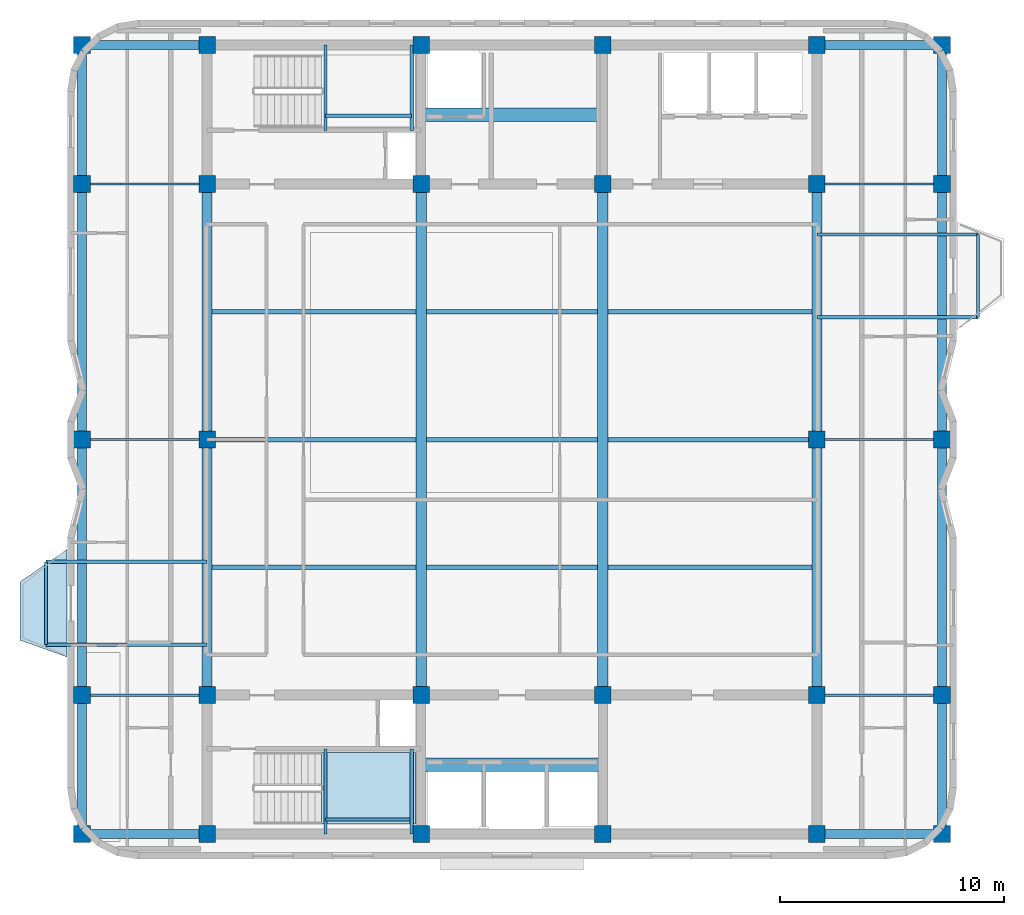
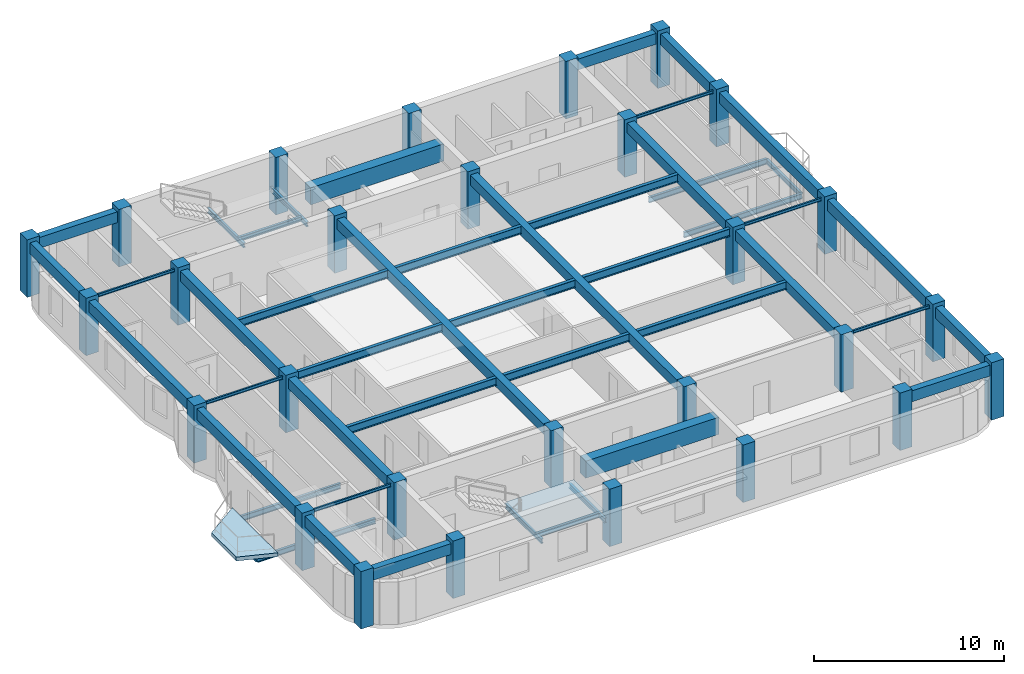
# One storey, part 1 of 8: 47 beams, 28 columns, 2 slabs, 1 element without a shape of its own.
"""IFC4 building model written with IfcOpenShell, lengths in metres."""

from ifc_helpers import new_model, si_unit, direction, frame, origin, origin_2d, place, context, subcontext, project, spatial, polyline, rectangle, i_section, outline, extrude, material, layer, layer_set, material_profile, profile_set, type_object, element, aggregate, save


model = new_model("IFC4")

# Units and contexts
model_context = context("Model", 3, precision=1e-05, world=origin(), true_north=direction((0.0, 1.0)))
body_context = subcontext(model_context, "Body", "Model", "MODEL_VIEW")
ifc_project = project(units=[si_unit("LENGTHUNIT", "METRE"), si_unit("AREAUNIT", "SQUARE_METRE"), si_unit("VOLUMEUNIT", "CUBIC_METRE"), si_unit("PLANEANGLEUNIT", "RADIAN"), si_unit("MASSUNIT", "GRAM", prefix="KILO")], contexts=[model_context])

# Site, building, storey
site_placement = place(None, origin())
site = spatial("IfcSite", under=ifc_project, at=site_placement, CompositionType="ELEMENT")
building_placement = place(site_placement, origin())
building = spatial("IfcBuilding", under=site, at=building_placement, Name="Svetorya Sky Lyceum", CompositionType="ELEMENT")
storey_placement = place(building_placement, frame((0.0, 0.0, 260.199951171875)))
storey = spatial("IfcBuildingStorey", under=building, at=storey_placement, Name="L65", CompositionType="ELEMENT", Elevation=260.199951171875)

# Columns
ifc_material_1 = material(Name="Concrete C40/50", Category="concrete")
ifc_material_profile_1 = material_profile(ifc_material_1, rectangle(XDim=0.75, YDim=0.75, at=origin_2d()), Name="RC COL 750x750")
ifc_profile_set_1 = profile_set([ifc_material_profile_1], Name="Concrete C40/50")
column_type = type_object("IfcColumnType", Name="COL-RC-750", PredefinedType="COLUMN", material=ifc_profile_set_1)
for number, where, z_axis, x_axis, name in (
    (1, (25.60009765625, 10.60009765625, 0.0), (0.0, 0.0, 1.0), (1.0, 0.0, 0.0), "L65 Core Column CS-11"),
    (2, (25.60009765625, 16.800048828125, 0.0), (0.0, 0.0, 1.0), (1.0, 0.0, 0.0), "L65 Core Column CS-12"),
    (3, (35.14990234375, 10.60009765625, 0.0), (0.0, 0.0, 1.0), (1.0, 0.0, 0.0), "L65 Core Column CS-21"),
    (4, (35.14990234375, 16.800048828125, 0.0), (0.0, 0.0, 1.0), (1.0, 0.0, 0.0), "L65 Core Column CS-22"),
    (5, (43.25, 10.60009765625, 0.0), (0.0, 0.0, 1.0), (1.0, 0.0, 0.0), "L65 Core Column CS-31"),
    (6, (43.25, 16.800048828125, 0.0), (0.0, 0.0, 1.0), (1.0, 0.0, 0.0), "L65 Core Column CS-32"),
    (7, (52.800048828125, 10.60009765625, 0.0), (0.0, 0.0, 1.0), (1.0, 0.0, 0.0), "L65 Core Column CS-41"),
    (8, (52.800048828125, 16.800048828125, 0.0), (0.0, 0.0, 1.0), (1.0, 0.0, 0.0), "L65 Core Column CS-42"),
    (9, (25.60009765625, 39.60009765625, 0.0), (0.0, 0.0, 1.0), (1.0, 0.0, 0.0), "L65 Core Column CN-11"),
    (10, (25.60009765625, 45.800048828125, 0.0), (0.0, 0.0, 1.0), (1.0, 0.0, 0.0), "L65 Core Column CN-12"),
    (11, (35.14990234375, 39.60009765625, 0.0), (0.0, 0.0, 1.0), (1.0, 0.0, 0.0), "L65 Core Column CN-21"),
    (12, (35.14990234375, 45.800048828125, 0.0), (0.0, 0.0, 1.0), (1.0, 0.0, 0.0), "L65 Core Column CN-22"),
    (13, (43.25, 39.60009765625, 0.0), (0.0, 0.0, 1.0), (1.0, 0.0, 0.0), "L65 Core Column CN-31"),
    (14, (43.25, 45.800048828125, 0.0), (0.0, 0.0, 1.0), (1.0, 0.0, 0.0), "L65 Core Column CN-32"),
    (15, (52.800048828125, 39.60009765625, 0.0), (0.0, 0.0, 1.0), (1.0, 0.0, 0.0), "L65 Core Column CN-41"),
    (16, (52.800048828125, 45.800048828125, 0.0), (0.0, 0.0, 1.0), (1.0, 0.0, 0.0), "L65 Core Column CN-42"),
    (17, (25.60009765625, 28.199951171875, 0.0), (0.0, 0.0, 1.0), (1.0, 0.0, 0.0), "L65 Core Column CM-W"),
    (18, (52.800048828125, 28.199951171875, 0.0), (0.0, 0.0, 1.0), (1.0, 0.0, 0.0), "L65 Core Column CM-E"),
    (19, (20.010009765625, 10.60009765625, 0.0), (0.0, 0.0, 1.0), (1.0, 0.0, 0.0), "L65 Perimeter Column W1"),
    (20, (58.389892578125, 10.60009765625, 0.0), (0.0, 0.0, 1.0), (1.0, 0.0, 0.0), "L65 Perimeter Column E1"),
    (21, (20.010009765625, 16.800048828125, 0.0), (0.0, 0.0, 1.0), (1.0, 0.0, 0.0), "L65 Perimeter Column W2"),
    (22, (58.389892578125, 16.800048828125, 0.0), (0.0, 0.0, 1.0), (1.0, 0.0, 0.0), "L65 Perimeter Column E2"),
    (23, (20.010009765625, 28.199951171875, 0.0), (0.0, 0.0, 1.0), (1.0, 0.0, 0.0), "L65 Perimeter Column W3"),
    (24, (58.389892578125, 28.199951171875, 0.0), (0.0, 0.0, 1.0), (1.0, 0.0, 0.0), "L65 Perimeter Column E3"),
    (25, (20.010009765625, 39.60009765625, 0.0), (0.0, 0.0, 1.0), (1.0, 0.0, 0.0), "L65 Perimeter Column W4"),
    (26, (58.389892578125, 39.60009765625, 0.0), (0.0, 0.0, 1.0), (1.0, 0.0, 0.0), "L65 Perimeter Column E4"),
    (27, (20.010009765625, 45.800048828125, 0.0), (0.0, 0.0, 1.0), (1.0, 0.0, 0.0), "L65 Perimeter Column W5"),
    (28, (58.389892578125, 45.800048828125, 0.0), (0.0, 0.0, 1.0), (1.0, 0.0, 0.0), "L65 Perimeter Column E5"),
):
    element("IfcColumn", number, at=place(storey_placement, frame(where, z_axis=z_axis, x_axis=x_axis)), inside=storey, type_object=column_type, Name=name, PredefinedType="COLUMN", context=body_context, shape_type="SweptSolid", body=[
        extrude(rectangle(XDim=0.75, YDim=0.75, at=origin_2d()), origin(), (0.0, 0.0, 1.0), 3.699951171875),
    ])

# Beams
ifc_material_2 = material(Name="Concrete C60/75", Category="concrete")
ifc_material_profile_2 = material_profile(ifc_material_2, rectangle(XDim=0.60009765625, YDim=1.10009765625, at=origin_2d()), Name="RC COUPLING 600x1100")
ifc_profile_set_2 = profile_set([ifc_material_profile_2], Name="Concrete C60/75")
beam_type_1 = type_object("IfcBeamType", Name="BM-CPL-1100", PredefinedType="LINTEL", material=ifc_profile_set_2)
for number, where, z_axis, x_axis, name in (
    (29, (35.14990234375, 13.699951171875, 2.900146484375), (1.0, 0.0, 0.0), (0.0, 1.0, 0.0), "L65 SC Core Coupling Beam"),
    (30, (35.14990234375, 42.699951171875, 2.900146484375), (1.0, 0.0, 0.0), (0.0, 1.0, 0.0), "L65 NC Core Coupling Beam"),
):
    element("IfcBeam", number, at=place(storey_placement, frame(where, z_axis=z_axis, x_axis=x_axis)), inside=storey, type_object=beam_type_1, Name=name, PredefinedType="LINTEL", context=body_context, shape_type="SweptSolid", body=[
        extrude(rectangle(XDim=0.60009765625, YDim=1.10009765625, at=origin_2d()), origin(), (0.0, 0.0, 1.0), 8.10009765625),
    ])
ifc_material_profile_3 = material_profile(ifc_material_1, rectangle(XDim=0.449951171875, YDim=0.64990234375, at=origin_2d()), Name="RC BEAM 450x650")
ifc_profile_set_3 = profile_set([ifc_material_profile_3], Name="Concrete C40/50")
beam_type_2 = type_object("IfcBeamType", Name="BM-RC-650", PredefinedType="BEAM", material=ifc_profile_set_3)
beam_1_placement = place(storey_placement, frame((25.60009765625, 16.800048828125, 3.125), z_axis=(0.0, 1.0, 0.0), x_axis=(-1.0, 0.0, 0.0)))
element("IfcBeam", 31, at=beam_1_placement, inside=storey, type_object=beam_type_2, Name="L65 Central Bay Primary Girder CG-1A", PredefinedType="BEAM", context=body_context, shape_type="SweptSolid", body=[
    extrude(rectangle(XDim=0.449951171875, YDim=0.64990234375, at=origin_2d()), origin(), (0.0, 0.0, 1.0), 11.39990234375),
])
beam_2_placement = place(storey_placement, frame((25.60009765625, 28.199951171875, 3.125), z_axis=(0.0, 1.0, 0.0), x_axis=(-1.0, 0.0, 0.0)))
element("IfcBeam", 32, at=beam_2_placement, inside=storey, type_object=beam_type_2, Name="L65 Central Bay Primary Girder CG-1B", PredefinedType="BEAM", context=body_context, shape_type="SweptSolid", body=[
    extrude(rectangle(XDim=0.449951171875, YDim=0.64990234375, at=origin_2d()), origin(), (0.0, 0.0, 1.0), 11.400146484375),
])
for number, where, z_axis, x_axis, name in (
    (33, (35.14990234375, 16.800048828125, 3.125), (0.0, 1.0, 0.0), (-1.0, 0.0, 0.0), "L65 Central Bay Primary Girder CG-2"),
    (34, (43.25, 16.800048828125, 3.125), (0.0, 1.0, 0.0), (-1.0, 0.0, 0.0), "L65 Central Bay Primary Girder CG-3"),
):
    element("IfcBeam", number, at=place(storey_placement, frame(where, z_axis=z_axis, x_axis=x_axis)), inside=storey, type_object=beam_type_2, Name=name, PredefinedType="BEAM", context=body_context, shape_type="SweptSolid", body=[
        extrude(rectangle(XDim=0.449951171875, YDim=0.64990234375, at=origin_2d()), origin(), (0.0, 0.0, 1.0), 22.800048828125),
    ])
beam_3_placement = place(storey_placement, frame((52.800048828125, 16.800048828125, 3.125), z_axis=(0.0, 1.0, 0.0), x_axis=(-1.0, 0.0, 0.0)))
element("IfcBeam", 35, at=beam_3_placement, inside=storey, type_object=beam_type_2, Name="L65 Central Bay Primary Girder CG-4A", PredefinedType="BEAM", context=body_context, shape_type="SweptSolid", body=[
    extrude(rectangle(XDim=0.449951171875, YDim=0.64990234375, at=origin_2d()), origin(), (0.0, 0.0, 1.0), 11.39990234375),
])
beam_4_placement = place(storey_placement, frame((52.800048828125, 28.199951171875, 3.125), z_axis=(0.0, 1.0, 0.0), x_axis=(-1.0, 0.0, 0.0)))
element("IfcBeam", 36, at=beam_4_placement, inside=storey, type_object=beam_type_2, Name="L65 Central Bay Primary Girder CG-4B", PredefinedType="BEAM", context=body_context, shape_type="SweptSolid", body=[
    extrude(rectangle(XDim=0.449951171875, YDim=0.64990234375, at=origin_2d()), origin(), (0.0, 0.0, 1.0), 11.400146484375),
])
ifc_material_3 = material(Name="Concrete C50/60", Category="concrete")
ifc_material_profile_4 = material_profile(ifc_material_3, rectangle(XDim=0.39990234375, YDim=0.699951171875, at=origin_2d()), Name="RC SPANDREL 400x700")
ifc_profile_set_4 = profile_set([ifc_material_profile_4], Name="Concrete C50/60")
beam_type_3 = type_object("IfcBeamType", Name="BM-SPN-700", PredefinedType="SPANDREL", material=ifc_profile_set_4)
for number, where, z_axis, x_axis, name in (
    (37, (20.010009765625, 10.60009765625, 3.10009765625), (1.0, 0.0, 0.0), (0.0, 1.0, 0.0), "L65 Tie Spandrel SW"),
    (38, (20.010009765625, 45.800048828125, 3.10009765625), (1.0, 0.0, 0.0), (0.0, 1.0, 0.0), "L65 Tie Spandrel NW"),
):
    element("IfcBeam", number, at=place(storey_placement, frame(where, z_axis=z_axis, x_axis=x_axis)), inside=storey, type_object=beam_type_3, Name=name, PredefinedType="SPANDREL", context=body_context, shape_type="SweptSolid", body=[
        extrude(rectangle(XDim=0.39990234375, YDim=0.699951171875, at=origin_2d()), origin(), (0.0, 0.0, 1.0), 5.590087890625),
    ])
for number, where, z_axis, x_axis, name in (
    (39, (52.800048828125, 10.60009765625, 3.10009765625), (1.0, 0.0, 0.0), (0.0, 1.0, 0.0), "L65 Tie Spandrel SE"),
    (40, (52.800048828125, 45.800048828125, 3.10009765625), (1.0, 0.0, 0.0), (0.0, 1.0, 0.0), "L65 Tie Spandrel NE"),
):
    element("IfcBeam", number, at=place(storey_placement, frame(where, z_axis=z_axis, x_axis=x_axis)), inside=storey, type_object=beam_type_3, Name=name, PredefinedType="SPANDREL", context=body_context, shape_type="SweptSolid", body=[
        extrude(rectangle(XDim=0.39990234375, YDim=0.699951171875, at=origin_2d()), origin(), (0.0, 0.0, 1.0), 5.58984375),
    ])
beam_5_placement = place(storey_placement, frame((20.010009765625, 10.60009765625, 3.10009765625), z_axis=(0.0, 1.0, 0.0), x_axis=(-1.0, 0.0, 0.0)))
element("IfcBeam", 41, at=beam_5_placement, inside=storey, type_object=beam_type_3, Name="L65 West Spandrel 1", PredefinedType="SPANDREL", context=body_context, shape_type="SweptSolid", body=[
    extrude(rectangle(XDim=0.39990234375, YDim=0.699951171875, at=origin_2d()), origin(), (0.0, 0.0, 1.0), 6.199951171875),
])
beam_6_placement = place(storey_placement, frame((20.010009765625, 16.800048828125, 3.10009765625), z_axis=(0.0, 1.0, 0.0), x_axis=(-1.0, 0.0, 0.0)))
element("IfcBeam", 42, at=beam_6_placement, inside=storey, type_object=beam_type_3, Name="L65 West Spandrel 2", PredefinedType="SPANDREL", context=body_context, shape_type="SweptSolid", body=[
    extrude(rectangle(XDim=0.39990234375, YDim=0.699951171875, at=origin_2d()), origin(), (0.0, 0.0, 1.0), 11.39990234375),
])
beam_7_placement = place(storey_placement, frame((20.010009765625, 28.199951171875, 3.10009765625), z_axis=(0.0, 1.0, 0.0), x_axis=(-1.0, 0.0, 0.0)))
element("IfcBeam", 43, at=beam_7_placement, inside=storey, type_object=beam_type_3, Name="L65 West Spandrel 3", PredefinedType="SPANDREL", context=body_context, shape_type="SweptSolid", body=[
    extrude(rectangle(XDim=0.39990234375, YDim=0.699951171875, at=origin_2d()), origin(), (0.0, 0.0, 1.0), 11.400146484375),
])
for number, where, z_axis, x_axis, name in (
    (44, (20.010009765625, 39.60009765625, 3.10009765625), (0.0, 1.0, 0.0), (-1.0, 0.0, 0.0), "L65 West Spandrel 4"),
    (45, (58.389892578125, 10.60009765625, 3.10009765625), (0.0, 1.0, 0.0), (-1.0, 0.0, 0.0), "L65 East Spandrel 1"),
):
    element("IfcBeam", number, at=place(storey_placement, frame(where, z_axis=z_axis, x_axis=x_axis)), inside=storey, type_object=beam_type_3, Name=name, PredefinedType="SPANDREL", context=body_context, shape_type="SweptSolid", body=[
        extrude(rectangle(XDim=0.39990234375, YDim=0.699951171875, at=origin_2d()), origin(), (0.0, 0.0, 1.0), 6.199951171875),
    ])
beam_8_placement = place(storey_placement, frame((58.389892578125, 16.800048828125, 3.10009765625), z_axis=(0.0, 1.0, 0.0), x_axis=(-1.0, 0.0, 0.0)))
element("IfcBeam", 46, at=beam_8_placement, inside=storey, type_object=beam_type_3, Name="L65 East Spandrel 2", PredefinedType="SPANDREL", context=body_context, shape_type="SweptSolid", body=[
    extrude(rectangle(XDim=0.39990234375, YDim=0.699951171875, at=origin_2d()), origin(), (0.0, 0.0, 1.0), 11.39990234375),
])
beam_9_placement = place(storey_placement, frame((58.389892578125, 28.199951171875, 3.10009765625), z_axis=(0.0, 1.0, 0.0), x_axis=(-1.0, 0.0, 0.0)))
element("IfcBeam", 47, at=beam_9_placement, inside=storey, type_object=beam_type_3, Name="L65 East Spandrel 3", PredefinedType="SPANDREL", context=body_context, shape_type="SweptSolid", body=[
    extrude(rectangle(XDim=0.39990234375, YDim=0.699951171875, at=origin_2d()), origin(), (0.0, 0.0, 1.0), 11.400146484375),
])
beam_10_placement = place(storey_placement, frame((58.389892578125, 39.60009765625, 3.10009765625), z_axis=(0.0, 1.0, 0.0), x_axis=(-1.0, 0.0, 0.0)))
element("IfcBeam", 48, at=beam_10_placement, inside=storey, type_object=beam_type_3, Name="L65 East Spandrel 4", PredefinedType="SPANDREL", context=body_context, shape_type="SweptSolid", body=[
    extrude(rectangle(XDim=0.39990234375, YDim=0.699951171875, at=origin_2d()), origin(), (0.0, 0.0, 1.0), 6.199951171875),
])
ifc_material_4 = material(Name="Steel S355", Category="steel")
ifc_material_profile_5 = material_profile(ifc_material_4, i_section(OverallWidth=0.10009765625, OverallDepth=0.199951171875, WebThickness=0.005615234375, FlangeThickness=0.008544921875, at=origin_2d()), Name="GOST 20B1")
ifc_profile_set_5 = profile_set([ifc_material_profile_5], Name="Steel S355")
beam_type_4 = type_object("IfcBeamType", Name="BM-STL-20B1", PredefinedType="JOIST", material=ifc_profile_set_5)
beam_11_placement = place(storey_placement, frame((20.010009765625, 16.800048828125, 3.35009765625), z_axis=(1.0, 0.0, 0.0), x_axis=(0.0, 1.0, 0.0)))
element("IfcBeam", 49, at=beam_11_placement, inside=storey, type_object=beam_type_4, Name="L65 West Wing Floor Joist W2", PredefinedType="JOIST", context=body_context, shape_type="SweptSolid", body=[
    extrude(i_section(OverallWidth=0.10009765625, OverallDepth=0.199951171875, WebThickness=0.005615234375, FlangeThickness=0.008544921875, at=origin_2d()), origin(), (0.0, 0.0, 1.0), 5.590087890625),
])
beam_12_placement = place(storey_placement, frame((52.800048828125, 16.800048828125, 3.35009765625), z_axis=(1.0, 0.0, 0.0), x_axis=(0.0, 1.0, 0.0)))
element("IfcBeam", 50, at=beam_12_placement, inside=storey, type_object=beam_type_4, Name="L65 East Wing Floor Joist E2", PredefinedType="JOIST", context=body_context, shape_type="SweptSolid", body=[
    extrude(i_section(OverallWidth=0.10009765625, OverallDepth=0.199951171875, WebThickness=0.005615234375, FlangeThickness=0.008544921875, at=origin_2d()), origin(), (0.0, 0.0, 1.0), 5.58984375),
])
beam_13_placement = place(storey_placement, frame((20.010009765625, 28.199951171875, 3.35009765625), z_axis=(1.0, 0.0, 0.0), x_axis=(0.0, 1.0, 0.0)))
element("IfcBeam", 51, at=beam_13_placement, inside=storey, type_object=beam_type_4, Name="L65 West Wing Floor Joist W3", PredefinedType="JOIST", context=body_context, shape_type="SweptSolid", body=[
    extrude(i_section(OverallWidth=0.10009765625, OverallDepth=0.199951171875, WebThickness=0.005615234375, FlangeThickness=0.008544921875, at=origin_2d()), origin(), (0.0, 0.0, 1.0), 5.590087890625),
])
beam_14_placement = place(storey_placement, frame((52.800048828125, 28.199951171875, 3.35009765625), z_axis=(1.0, 0.0, 0.0), x_axis=(0.0, 1.0, 0.0)))
element("IfcBeam", 52, at=beam_14_placement, inside=storey, type_object=beam_type_4, Name="L65 East Wing Floor Joist E3", PredefinedType="JOIST", context=body_context, shape_type="SweptSolid", body=[
    extrude(i_section(OverallWidth=0.10009765625, OverallDepth=0.199951171875, WebThickness=0.005615234375, FlangeThickness=0.008544921875, at=origin_2d()), origin(), (0.0, 0.0, 1.0), 5.58984375),
])
beam_15_placement = place(storey_placement, frame((20.010009765625, 39.60009765625, 3.35009765625), z_axis=(1.0, 0.0, 0.0), x_axis=(0.0, 1.0, 0.0)))
element("IfcBeam", 53, at=beam_15_placement, inside=storey, type_object=beam_type_4, Name="L65 West Wing Floor Joist W4", PredefinedType="JOIST", context=body_context, shape_type="SweptSolid", body=[
    extrude(i_section(OverallWidth=0.10009765625, OverallDepth=0.199951171875, WebThickness=0.005615234375, FlangeThickness=0.008544921875, at=origin_2d()), origin(), (0.0, 0.0, 1.0), 5.590087890625),
])
beam_16_placement = place(storey_placement, frame((52.800048828125, 39.60009765625, 3.35009765625), z_axis=(1.0, 0.0, 0.0), x_axis=(0.0, 1.0, 0.0)))
element("IfcBeam", 54, at=beam_16_placement, inside=storey, type_object=beam_type_4, Name="L65 East Wing Floor Joist E4", PredefinedType="JOIST", context=body_context, shape_type="SweptSolid", body=[
    extrude(i_section(OverallWidth=0.10009765625, OverallDepth=0.199951171875, WebThickness=0.005615234375, FlangeThickness=0.008544921875, at=origin_2d()), origin(), (0.0, 0.0, 1.0), 5.58984375),
])
ifc_material_profile_6 = material_profile(ifc_material_4, i_section(OverallWidth=0.14990234375, OverallDepth=0.299072265625, WebThickness=0.006591796875, FlangeThickness=0.010498046875, at=origin_2d()), Name="GOST 30B2")
ifc_profile_set_6 = profile_set([ifc_material_profile_6], Name="Steel S355")
beam_type_5 = type_object("IfcBeamType", Name="BM-STL-30B2", PredefinedType="JOIST", material=ifc_profile_set_6)
beam_17_placement = place(storey_placement, frame((18.409912109375, 19.050048828125, -0.424560546875), z_axis=(0.0, 1.0, 0.0), x_axis=(-1.0, 0.0, 0.0)))
element("IfcBeam", 55, at=beam_17_placement, inside=storey, type_object=beam_type_5, Name="L65 Balcony Edge Tie BAL-W1", PredefinedType="JOIST", context=body_context, shape_type="SweptSolid", body=[
    extrude(i_section(OverallWidth=0.14990234375, OverallDepth=0.299072265625, WebThickness=0.006591796875, FlangeThickness=0.010498046875, at=origin_2d()), origin(), (0.0, 0.0, 1.0), 3.699951171875),
])
beam_18_placement = place(storey_placement, frame((59.989990234375, 33.64990234375, -0.424560546875), z_axis=(0.0, 1.0, 0.0), x_axis=(-1.0, 0.0, 0.0)))
element("IfcBeam", 56, at=beam_18_placement, inside=storey, type_object=beam_type_5, Name="L65 Balcony Edge Tie BAL-E1", PredefinedType="JOIST", context=body_context, shape_type="SweptSolid", body=[
    extrude(i_section(OverallWidth=0.14990234375, OverallDepth=0.299072265625, WebThickness=0.006591796875, FlangeThickness=0.010498046875, at=origin_2d()), origin(), (0.0, 0.0, 1.0), 3.7001953125),
])
for number, where, z_axis, x_axis, name in (
    (57, (30.8798828125, 10.60009765625, 1.50048828125), (0.0, 1.0, 0.0), (-1.0, 0.0, 0.0), "L65 Stair ST-S Half-Landing Support Beam 73.1"),
    (58, (34.719970703125, 10.60009765625, 1.50048828125), (0.0, 1.0, 0.0), (-1.0, 0.0, 0.0), "L65 Stair ST-S Half-Landing Support Beam 73.2"),
):
    element("IfcBeam", number, at=place(storey_placement, frame(where, z_axis=z_axis, x_axis=x_axis)), inside=storey, type_object=beam_type_5, Name=name, PredefinedType="JOIST", context=body_context, shape_type="SweptSolid", body=[
        extrude(i_section(OverallWidth=0.14990234375, OverallDepth=0.299072265625, WebThickness=0.006591796875, FlangeThickness=0.010498046875, at=origin_2d()), origin(), (0.0, 0.0, 1.0), 3.7998046875),
    ])
beam_19_placement = place(storey_placement, frame((30.8798828125, 11.25, 1.50048828125), z_axis=(1.0, 0.0, 0.0), x_axis=(0.0, 1.0, 0.0)))
element("IfcBeam", 59, at=beam_19_placement, inside=storey, type_object=beam_type_5, Name="L65 Stair ST-S Half-Landing Cross Tie 73", PredefinedType="JOIST", context=body_context, shape_type="SweptSolid", body=[
    extrude(i_section(OverallWidth=0.14990234375, OverallDepth=0.299072265625, WebThickness=0.006591796875, FlangeThickness=0.010498046875, at=origin_2d()), origin(), (0.0, 0.0, 1.0), 3.840087890625),
])
for number, where, z_axis, x_axis, name in (
    (60, (30.8798828125, 42.0, 1.50048828125), (0.0, 1.0, 0.0), (-1.0, 0.0, 0.0), "L65 Stair ST-N Half-Landing Support Beam 73.1"),
    (61, (34.719970703125, 42.0, 1.50048828125), (0.0, 1.0, 0.0), (-1.0, 0.0, 0.0), "L65 Stair ST-N Half-Landing Support Beam 73.2"),
):
    element("IfcBeam", number, at=place(storey_placement, frame(where, z_axis=z_axis, x_axis=x_axis)), inside=storey, type_object=beam_type_5, Name=name, PredefinedType="JOIST", context=body_context, shape_type="SweptSolid", body=[
        extrude(i_section(OverallWidth=0.14990234375, OverallDepth=0.299072265625, WebThickness=0.006591796875, FlangeThickness=0.010498046875, at=origin_2d()), origin(), (0.0, 0.0, 1.0), 3.800048828125),
    ])
beam_20_placement = place(storey_placement, frame((30.8798828125, 42.64990234375, 1.50048828125), z_axis=(1.0, 0.0, 0.0), x_axis=(0.0, 1.0, 0.0)))
element("IfcBeam", 62, at=beam_20_placement, inside=storey, type_object=beam_type_5, Name="L65 Stair ST-N Half-Landing Cross Tie 73", PredefinedType="JOIST", context=body_context, shape_type="SweptSolid", body=[
    extrude(i_section(OverallWidth=0.14990234375, OverallDepth=0.299072265625, WebThickness=0.006591796875, FlangeThickness=0.010498046875, at=origin_2d()), origin(), (0.0, 0.0, 1.0), 3.840087890625),
])
ifc_material_profile_7 = material_profile(ifc_material_4, i_section(OverallWidth=0.155029296875, OverallDepth=0.34912109375, WebThickness=0.007080078125, FlangeThickness=0.011474609375, at=origin_2d()), Name="GOST 35B2")
ifc_profile_set_7 = profile_set([ifc_material_profile_7], Name="Steel S355")
beam_type_6 = type_object("IfcBeamType", Name="BM-STL-35B2", PredefinedType="JOIST", material=ifc_profile_set_7)
for number, where, z_axis, x_axis, name in (
    (63, (25.60009765625, 19.050048828125, -0.424560546875), (-1.0, 0.0, 0.0), (0.0, -1.0, 0.0), "L65 Balcony Cantilever Beam BAL-W1-1"),
    (64, (25.60009765625, 22.75, -0.424560546875), (-1.0, 0.0, 0.0), (0.0, -1.0, 0.0), "L65 Balcony Cantilever Beam BAL-W1-2"),
):
    element("IfcBeam", number, at=place(storey_placement, frame(where, z_axis=z_axis, x_axis=x_axis)), inside=storey, type_object=beam_type_6, Name=name, PredefinedType="JOIST", context=body_context, shape_type="SweptSolid", body=[
        extrude(i_section(OverallWidth=0.155029296875, OverallDepth=0.34912109375, WebThickness=0.007080078125, FlangeThickness=0.011474609375, at=origin_2d()), origin(), (0.0, 0.0, 1.0), 7.190185546875),
    ])
for number, where, z_axis, x_axis, name in (
    (65, (52.800048828125, 33.64990234375, -0.424560546875), (1.0, 0.0, 0.0), (0.0, 1.0, 0.0), "L65 Balcony Cantilever Beam BAL-E1-1"),
    (66, (52.800048828125, 37.35009765625, -0.424560546875), (1.0, 0.0, 0.0), (0.0, 1.0, 0.0), "L65 Balcony Cantilever Beam BAL-E1-2"),
):
    element("IfcBeam", number, at=place(storey_placement, frame(where, z_axis=z_axis, x_axis=x_axis)), inside=storey, type_object=beam_type_6, Name=name, PredefinedType="JOIST", context=body_context, shape_type="SweptSolid", body=[
        extrude(i_section(OverallWidth=0.155029296875, OverallDepth=0.34912109375, WebThickness=0.007080078125, FlangeThickness=0.011474609375, at=origin_2d()), origin(), (0.0, 0.0, 1.0), 7.18994140625),
    ])
ifc_material_profile_8 = material_profile(ifc_material_4, i_section(OverallWidth=0.198974609375, OverallDepth=0.498046875, WebThickness=0.010009765625, FlangeThickness=0.01611328125, at=origin_2d()), Name="GOST 50B2")
ifc_profile_set_8 = profile_set([ifc_material_profile_8], Name="Steel S355")
beam_type_7 = type_object("IfcBeamType", Name="BM-STL-50B2", PredefinedType="BEAM", material=ifc_profile_set_8)
beam_21_placement = place(storey_placement, frame((25.824951171875, 22.5, 3.200927734375), z_axis=(1.0, 0.0, 0.0), x_axis=(0.0, 1.0, 0.0)))
element("IfcBeam", 67, at=beam_21_placement, inside=storey, type_object=beam_type_7, Name="L65 Central Floor Joist CJ-1.1", PredefinedType="BEAM", context=body_context, shape_type="SweptSolid", body=[
    extrude(i_section(OverallWidth=0.198974609375, OverallDepth=0.498046875, WebThickness=0.010009765625, FlangeThickness=0.01611328125, at=origin_2d()), origin(), (0.0, 0.0, 1.0), 9.10009765625),
])
beam_22_placement = place(storey_placement, frame((35.375, 22.5, 3.200927734375), z_axis=(1.0, 0.0, 0.0), x_axis=(0.0, 1.0, 0.0)))
element("IfcBeam", 68, at=beam_22_placement, inside=storey, type_object=beam_type_7, Name="L65 Central Floor Joist CJ-1.2", PredefinedType="BEAM", context=body_context, shape_type="SweptSolid", body=[
    extrude(i_section(OverallWidth=0.198974609375, OverallDepth=0.498046875, WebThickness=0.010009765625, FlangeThickness=0.01611328125, at=origin_2d()), origin(), (0.0, 0.0, 1.0), 7.64990234375),
])
beam_23_placement = place(storey_placement, frame((43.47509765625, 22.5, 3.200927734375), z_axis=(1.0, 0.0, 0.0), x_axis=(0.0, 1.0, 0.0)))
element("IfcBeam", 69, at=beam_23_placement, inside=storey, type_object=beam_type_7, Name="L65 Central Floor Joist CJ-1.3", PredefinedType="BEAM", context=body_context, shape_type="SweptSolid", body=[
    extrude(i_section(OverallWidth=0.198974609375, OverallDepth=0.498046875, WebThickness=0.010009765625, FlangeThickness=0.01611328125, at=origin_2d()), origin(), (0.0, 0.0, 1.0), 9.099853515625),
])
beam_24_placement = place(storey_placement, frame((25.824951171875, 28.199951171875, 3.200927734375), z_axis=(1.0, 0.0, 0.0), x_axis=(0.0, 1.0, 0.0)))
element("IfcBeam", 70, at=beam_24_placement, inside=storey, type_object=beam_type_7, Name="L65 Central Floor Joist CJ-2.1", PredefinedType="BEAM", context=body_context, shape_type="SweptSolid", body=[
    extrude(i_section(OverallWidth=0.198974609375, OverallDepth=0.498046875, WebThickness=0.010009765625, FlangeThickness=0.01611328125, at=origin_2d()), origin(), (0.0, 0.0, 1.0), 9.10009765625),
])
beam_25_placement = place(storey_placement, frame((35.375, 28.199951171875, 3.200927734375), z_axis=(1.0, 0.0, 0.0), x_axis=(0.0, 1.0, 0.0)))
element("IfcBeam", 71, at=beam_25_placement, inside=storey, type_object=beam_type_7, Name="L65 Central Floor Joist CJ-2.2", PredefinedType="BEAM", context=body_context, shape_type="SweptSolid", body=[
    extrude(i_section(OverallWidth=0.198974609375, OverallDepth=0.498046875, WebThickness=0.010009765625, FlangeThickness=0.01611328125, at=origin_2d()), origin(), (0.0, 0.0, 1.0), 7.64990234375),
])
beam_26_placement = place(storey_placement, frame((43.47509765625, 28.199951171875, 3.200927734375), z_axis=(1.0, 0.0, 0.0), x_axis=(0.0, 1.0, 0.0)))
element("IfcBeam", 72, at=beam_26_placement, inside=storey, type_object=beam_type_7, Name="L65 Central Floor Joist CJ-2.3", PredefinedType="BEAM", context=body_context, shape_type="SweptSolid", body=[
    extrude(i_section(OverallWidth=0.198974609375, OverallDepth=0.498046875, WebThickness=0.010009765625, FlangeThickness=0.01611328125, at=origin_2d()), origin(), (0.0, 0.0, 1.0), 9.099853515625),
])
beam_27_placement = place(storey_placement, frame((25.824951171875, 33.89990234375, 3.200927734375), z_axis=(1.0, 0.0, 0.0), x_axis=(0.0, 1.0, 0.0)))
element("IfcBeam", 73, at=beam_27_placement, inside=storey, type_object=beam_type_7, Name="L65 Central Floor Joist CJ-3.1", PredefinedType="BEAM", context=body_context, shape_type="SweptSolid", body=[
    extrude(i_section(OverallWidth=0.198974609375, OverallDepth=0.498046875, WebThickness=0.010009765625, FlangeThickness=0.01611328125, at=origin_2d()), origin(), (0.0, 0.0, 1.0), 9.10009765625),
])
beam_28_placement = place(storey_placement, frame((35.375, 33.89990234375, 3.200927734375), z_axis=(1.0, 0.0, 0.0), x_axis=(0.0, 1.0, 0.0)))
element("IfcBeam", 74, at=beam_28_placement, inside=storey, type_object=beam_type_7, Name="L65 Central Floor Joist CJ-3.2", PredefinedType="BEAM", context=body_context, shape_type="SweptSolid", body=[
    extrude(i_section(OverallWidth=0.198974609375, OverallDepth=0.498046875, WebThickness=0.010009765625, FlangeThickness=0.01611328125, at=origin_2d()), origin(), (0.0, 0.0, 1.0), 7.64990234375),
])
beam_29_placement = place(storey_placement, frame((43.47509765625, 33.89990234375, 3.200927734375), z_axis=(1.0, 0.0, 0.0), x_axis=(0.0, 1.0, 0.0)))
element("IfcBeam", 75, at=beam_29_placement, inside=storey, type_object=beam_type_7, Name="L65 Central Floor Joist CJ-3.3", PredefinedType="BEAM", context=body_context, shape_type="SweptSolid", body=[
    extrude(i_section(OverallWidth=0.198974609375, OverallDepth=0.498046875, WebThickness=0.010009765625, FlangeThickness=0.01611328125, at=origin_2d()), origin(), (0.0, 0.0, 1.0), 9.099853515625),
])

# Slab
ifc_layer_1 = layer(ifc_material_1, 0.25)
ifc_layer_set_1 = layer_set([ifc_layer_1], Name="Concrete C40/50")
slab_type_1 = type_object("IfcSlabType", Name="SL-BAL-250", PredefinedType="FLOOR", material=ifc_layer_set_1)
slab_1_placement = place(storey_placement, frame((0.0, 0.0, -0.25)))
element("IfcSlab", 76, at=slab_1_placement, inside=storey, type_object=slab_type_1, Name="L65 Chamfered Loggia Balcony BAL-W1", PredefinedType="FLOOR", context=body_context, shape_type="SweptSolid", body=[
    extrude(outline(polyline([(19.35009765625, 18.5), (19.35009765625, 23.300048828125), (17.25, 21.85009765625), (17.25, 19.25), (19.35009765625, 18.5)])), origin(), (0.0, 0.0, 1.0), 0.25),
])

# Stair, slab
stair_type = type_object("IfcStairType", Name="STR-ST-S", PredefinedType="HALF_TURN_STAIR", material=ifc_material_1)
stair_placement = place(storey_placement, origin())
stair = element("IfcStair", 77, at=stair_placement, inside=storey, type_object=stair_type, Name="L65 South Core Smoke-Free Exit Stair N2", PredefinedType="HALF_TURN_STAIR")
ifc_layer_2 = layer(ifc_material_1, 0.199951171875)
ifc_layer_set_2 = layer_set([ifc_layer_2], Name="Concrete C40/50")
slab_type_2 = type_object("IfcSlabType", Name="SL-STR-LAND-200", PredefinedType="LANDING", material=ifc_layer_set_2)
slab_2_placement = place(storey_placement, frame((0.0, 0.0, 1.650146484375)))
slab_2 = element("IfcSlab", 78, at=slab_2_placement, type_object=slab_type_2, Name="ST-S landing 1", PredefinedType="LANDING", context=body_context, shape_type="SweptSolid", body=[
    extrude(outline(polyline([(30.699951171875, 11.050048828125), (34.89990234375, 11.050048828125), (34.89990234375, 14.25), (30.699951171875, 14.25), (30.699951171875, 11.050048828125)])), origin(), (0.0, 0.0, 1.0), 0.199951171875),
])
aggregate(stair, [slab_2])

save(model, "model.ifc")
